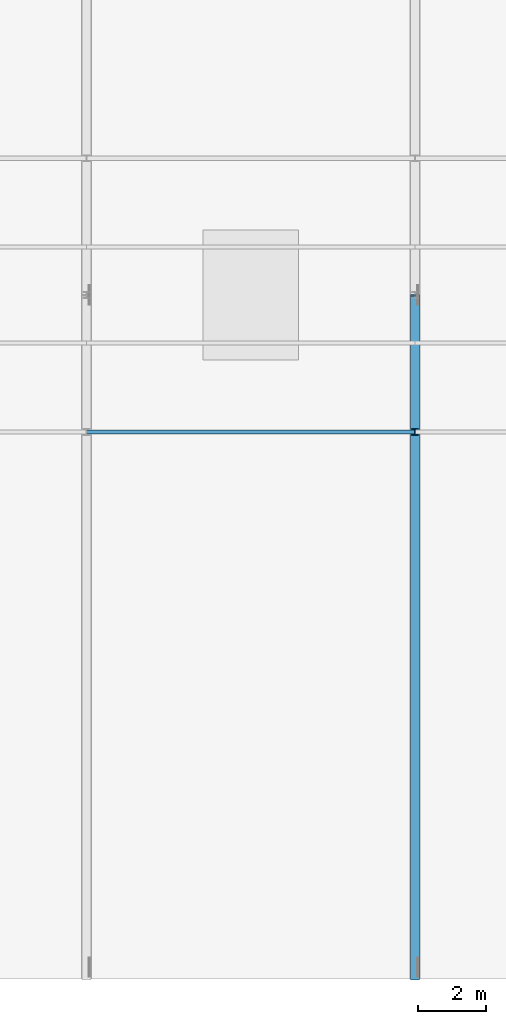
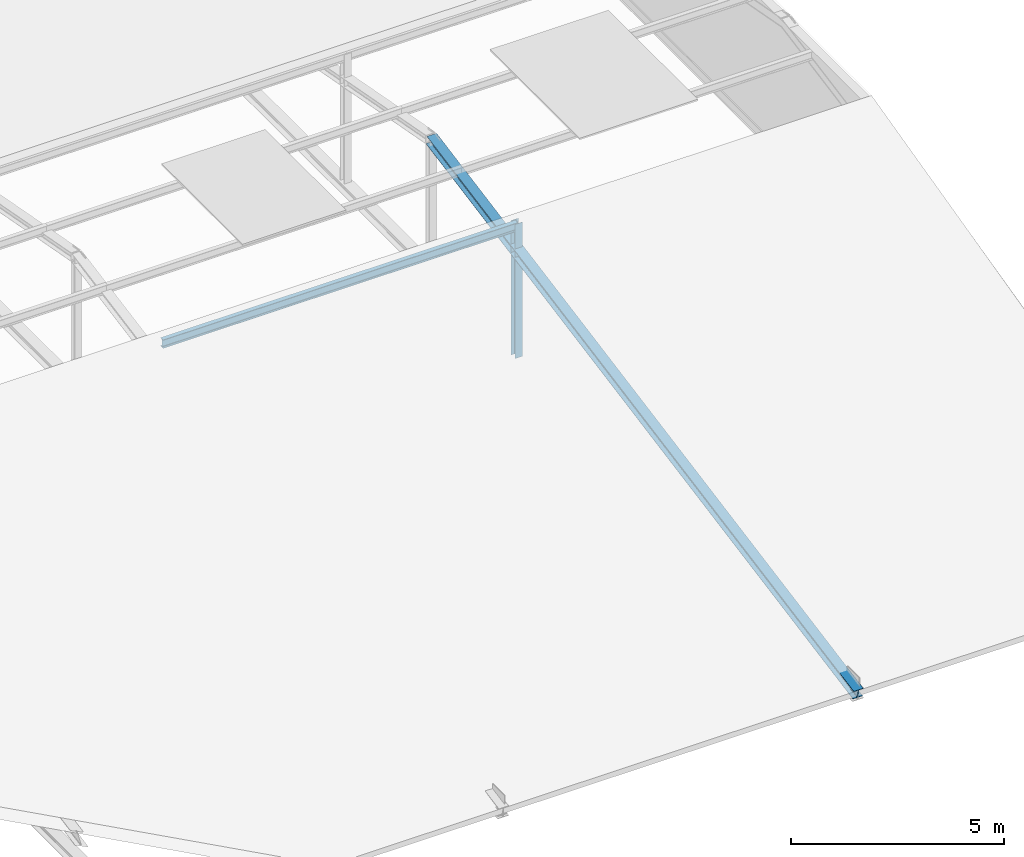
# One storey, part 29 of 73: 2 members, 1 beam.
"""IFC4 building model written with IfcOpenShell, lengths in metres."""

from ifc_helpers import new_model, si_unit, direction, frame, origin, origin_2d, place, context, subcontext, project, spatial, i_section, extrude, material, material_profile, profile_set, type_object, element, save


model = new_model("IFC4")

# Units and contexts
model_context = context("Model", 3, precision=1e-05, world=origin(), true_north=direction((0.0, 1.0)))
body_context = subcontext(model_context, "Body", "Model", "MODEL_VIEW")
ifc_project = project(units=[si_unit("LENGTHUNIT", "METRE"), si_unit("AREAUNIT", "SQUARE_METRE"), si_unit("VOLUMEUNIT", "CUBIC_METRE"), si_unit("PLANEANGLEUNIT", "RADIAN"), si_unit("MASSUNIT", "GRAM", prefix="KILO")], contexts=[model_context])

# Site, building, storey
site_placement = place(None, origin())
site = spatial("IfcSite", under=ifc_project, at=site_placement, CompositionType="ELEMENT")
building_placement = place(site_placement, origin())
building = spatial("IfcBuilding", under=site, at=building_placement, Name="Alderhovde Museum", CompositionType="ELEMENT")
storey_placement = place(building_placement, frame((0.0, 0.0, 17.39990234375)))
storey = spatial("IfcBuildingStorey", under=building, at=storey_placement, Name="L04", CompositionType="ELEMENT", Elevation=17.39990234375)

# Beam
ifc_material_1 = material(Name="Steel S355J2", Category="steel")
ifc_material_profile_1 = material_profile(ifc_material_1, i_section(OverallWidth=0.1201171875, OverallDepth=0.239990234375, WebThickness=0.006103515625, FlangeThickness=0.009765625, FilletRadius=0.014892578125, at=origin_2d()), Name="IPE 240")
ifc_profile_set_1 = profile_set([ifc_material_profile_1], Name="Steel S355J2")
beam_type = type_object("IfcBeamType", Name="BM-IPE240", PredefinedType="BEAM", material=ifc_profile_set_1)
beam_placement = place(storey_placement, frame((96.0, 48.0, 3.840087890625), z_axis=(1.0, 0.0, 0.0), x_axis=(0.0, 1.0, 0.0)))
element("IfcBeam", 1, at=beam_placement, inside=storey, type_object=beam_type, Name="Atrium Ridge Bearer Y=48", PredefinedType="BEAM", context=body_context, shape_type="SweptSolid", body=[
    extrude(i_section(OverallWidth=0.1201171875, OverallDepth=0.239990234375, WebThickness=0.006103515625, FlangeThickness=0.009765625, FilletRadius=0.014892578125, at=origin_2d()), origin(), (0.0, 0.0, 1.0), 9.60009765625),
])

# Members
ifc_material_2 = material(Name="Steel S355J2", Category="steel")
ifc_material_profile_2 = material_profile(ifc_material_2, i_section(OverallWidth=0.260009765625, OverallDepth=0.25, WebThickness=0.007568359375, FlangeThickness=0.012451171875, FilletRadius=0.02392578125, at=origin_2d()), Name="HEA 260")
ifc_profile_set_2 = profile_set([ifc_material_profile_2], Name="Steel S355J2")
member_type_1 = type_object("IfcMemberType", Name="TR-CH-HEA260", PredefinedType="CHORD", material=ifc_profile_set_2)
member_1_placement = place(storey_placement, frame((105.60009765625, 32.0, 0.150146484375), z_axis=(0.0, 0.982872186934, 0.18428853505), x_axis=(-1.0, 0.0, 0.0)))
element("IfcMember", 2, at=member_1_placement, inside=storey, type_object=member_type_1, Name="Atrium Truss X=105.6 South Rafter", PredefinedType="CHORD", context=body_context, shape_type="SweptSolid", body=[
    extrude(i_section(OverallWidth=0.260009765625, OverallDepth=0.25, WebThickness=0.007568359375, FlangeThickness=0.012451171875, FilletRadius=0.02392578125, at=origin_2d()), origin(), (0.0, 0.0, 1.0), 20.3486328125),
])
ifc_material_3 = material(Name="Steel S355J2", Category="steel")
ifc_material_profile_3 = material_profile(ifc_material_3, i_section(OverallWidth=0.199951171875, OverallDepth=0.18994140625, WebThickness=0.006591796875, FlangeThickness=0.010009765625, FilletRadius=0.01806640625, at=origin_2d()), Name="HEA 200")
ifc_profile_set_3 = profile_set([ifc_material_profile_3], Name="Steel S355J2")
member_type_2 = type_object("IfcMemberType", Name="TR-PS-HEA200", PredefinedType="POST", material=ifc_profile_set_3)
member_2_placement = place(storey_placement, frame((105.60009765625, 48.0, 0.1201171875), z_axis=(0.0, 0.0, 1.0), x_axis=(1.0, 0.0, 0.0)))
element("IfcMember", 3, at=member_2_placement, inside=storey, type_object=member_type_2, Name="Atrium Truss X=105.6 Post P1", PredefinedType="POST", context=body_context, shape_type="SweptSolid", body=[
    extrude(i_section(OverallWidth=0.199951171875, OverallDepth=0.18994140625, WebThickness=0.006591796875, FlangeThickness=0.010009765625, FilletRadius=0.01806640625, at=origin_2d()), origin(), (0.0, 0.0, 1.0), 3.840087890625),
])

save(model, "model.ifc")
